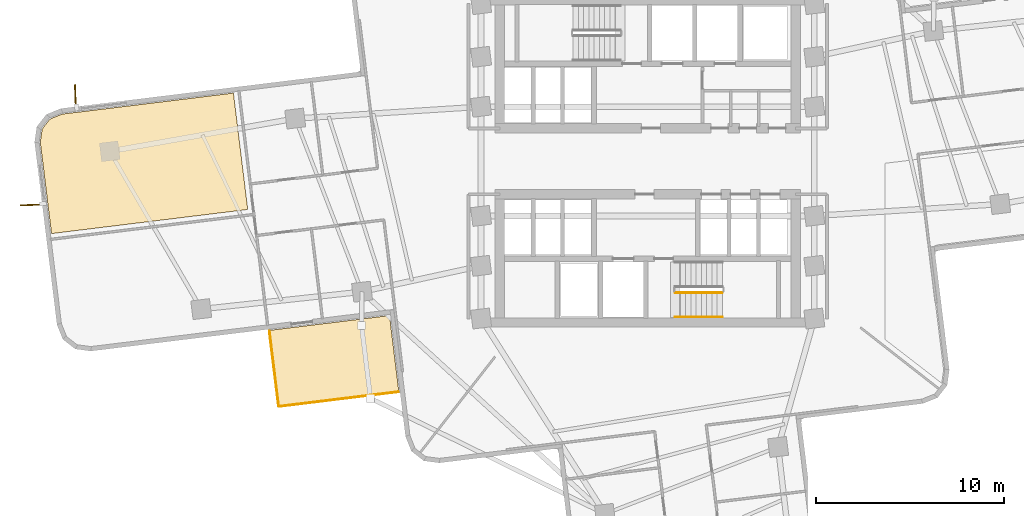
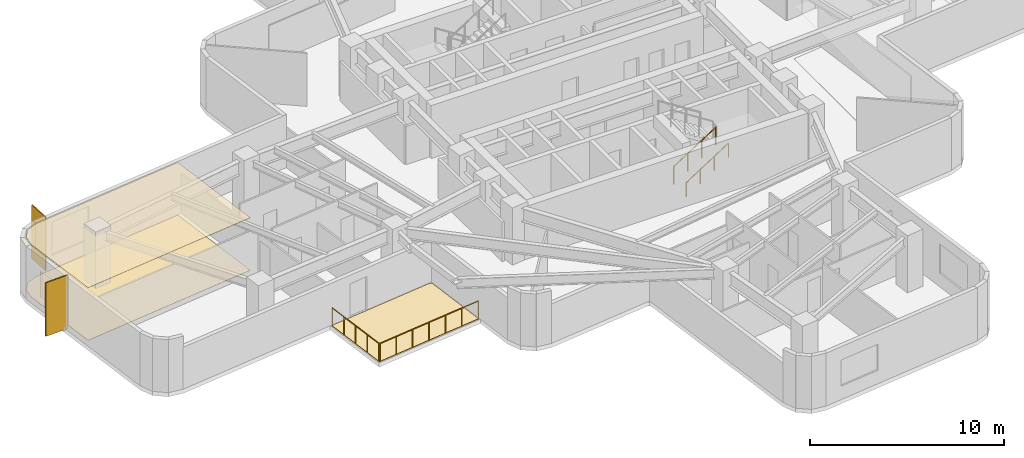
# One storey, part 7 of 9: 4 railings, 3 coverings, 2 shading devices.
"""IFC4 building model written with IfcOpenShell, lengths in metres."""

from ifc_helpers import new_model, si_unit, direction, frame, origin, origin_2d, place, context, subcontext, project, spatial, polyline, rectangle, circle, outline, extrude, material, layer, layer_set, type_object, element, save


model = new_model("IFC4")

# Units and contexts
model_context = context("Model", 3, precision=1e-05, world=origin(), true_north=direction((0.0, 1.0)))
body_context = subcontext(model_context, "Body", "Model", "MODEL_VIEW")
ifc_project = project(units=[si_unit("LENGTHUNIT", "METRE"), si_unit("AREAUNIT", "SQUARE_METRE"), si_unit("VOLUMEUNIT", "CUBIC_METRE"), si_unit("PLANEANGLEUNIT", "RADIAN"), si_unit("MASSUNIT", "GRAM", prefix="KILO")], contexts=[model_context])

# Site, building, storey
site_placement = place(None, origin())
site = spatial("IfcSite", under=ifc_project, at=site_placement, CompositionType="ELEMENT")
building_placement = place(site_placement, origin())
building = spatial("IfcBuilding", under=site, at=building_placement, Name="Solmarez Civic Tower", CompositionType="ELEMENT")
storey_placement = place(building_placement, frame((0.0, 0.0, 78.47998046875)))
storey = spatial("IfcBuildingStorey", under=building, at=storey_placement, Name="L20", CompositionType="ELEMENT", Elevation=78.47998046875)

# Coverings
ifc_material_1 = material(Name="Perforated Mineral-Fibre Acoustic Ceiling")
ifc_layer_1 = layer(ifc_material_1, 0.02490234375)
ifc_layer_set_1 = layer_set([ifc_layer_1], Name="Perforated Mineral-Fibre Acoustic Ceiling")
covering_type_1 = type_object("IfcCoveringType", Name="COV-CEIL-ACOUSTIC", PredefinedType="CEILING", material=ifc_layer_set_1)
covering_1_placement = place(storey_placement, frame((0.0, 0.0, 3.31494140625)))
element("IfcCovering", 1, at=covering_1_placement, inside=storey, type_object=covering_type_1, Name="L20 Suspended Acoustic Ceiling 2", PredefinedType="CEILING", context=body_context, shape_type="SweptSolid", body=[
    extrude(outline(polyline([(-22.006103515625, 3.625), (-31.097900390625, 2.509033203125), (-31.7548828125, 2.242919921875), (-32.1650390625, 1.717041015625), (-32.263916015625, 1.01611328125), (-31.66796875, -3.837890625), (-21.24609375, -2.55810546875), (-22.006103515625, 3.625)])), origin(), (0.0, 0.0, 1.0), 0.025146484375),
])
ifc_material_2 = material(Name="Polished Tropical Stone Terrazzo Flooring", Category="masonry")
ifc_layer_2 = layer(ifc_material_2, 0.02001953125)
ifc_layer_set_2 = layer_set([ifc_layer_2], Name="Polished Tropical Stone Terrazzo Flooring")
covering_type_2 = type_object("IfcCoveringType", Name="COV-FLOOR-TERRAZZO", PredefinedType="FLOORING", material=ifc_layer_set_2)
covering_2_placement = place(storey_placement, origin())
element("IfcCovering", 2, at=covering_2_placement, inside=storey, type_object=covering_type_2, Name="L20 Terrazzo Floor Finish 2", PredefinedType="FLOORING", context=body_context, shape_type="SweptSolid", body=[
    extrude(outline(polyline([(-22.006103515625, 3.625), (-31.097900390625, 2.509033203125), (-31.7548828125, 2.242919921875), (-32.1650390625, 1.717041015625), (-32.263916015625, 1.01611328125), (-31.66796875, -3.837890625), (-21.24609375, -2.55810546875), (-22.006103515625, 3.625)])), origin(), (0.0, 0.0, 1.0), 0.02001953125),
])
ifc_material_3 = material(Name="Elastomeric Terrace Waterproofing Membrane")
ifc_layer_3 = layer(ifc_material_3, 0.030029296875)
ifc_layer_set_3 = layer_set([ifc_layer_3], Name="Elastomeric Terrace Waterproofing Membrane")
covering_type_3 = type_object("IfcCoveringType", Name="COV-MEMBRANE-ROOF", PredefinedType="ROOFING", material=ifc_layer_set_3)
covering_3_placement = place(storey_placement, origin())
element("IfcCovering", 3, at=covering_3_placement, inside=storey, type_object=covering_type_3, Name="L20 Balcony Waterproofing SW", PredefinedType="ROOFING", context=body_context, shape_type="SweptSolid", body=[
    extrude(outline(polyline([(-13.697021484375, -8.35009765625), (-13.7451171875, -8.23193359375), (-13.8720703125, -8.214111328125), (-20.095947265625, -8.97802734375), (-19.59912109375, -13.02490234375), (-13.218994140625, -12.241943359375), (-13.697021484375, -8.35009765625)])), origin(), (0.0, 0.0, 1.0), 0.030029296875),
])

# Shading devices
ifc_material_4 = material(Name="Bronze Anodised Aluminium EN AW-6063 T6", Category="aluminium")
ifc_layer_4 = layer(ifc_material_4, 0.06494140625)
ifc_layer_set_4 = layer_set([ifc_layer_4], Name="Bronze Anodised Aluminium EN AW-6063 T6")
shading_device_type = type_object("IfcShadingDeviceType", Name="FIN-BRONZE-Z12", PredefinedType="USERDEFINED", material=ifc_layer_set_4)
for number, where, z_axis, x_axis, name in (
    (4, (-32.6669921875, -2.31494140625, -0.0400390625), (0.0, 0.0, 1.0), (-0.999310366955, -0.037132068293, 0.0), "L20 Anodised Bronze Solar Fin FIN-L20-01"),
    (5, (-30.40087890625, 3.406005859375, -0.0400390625), (0.0, 0.0, 1.0), (-0.037079744474, 0.999312309816, 0.0), "L20 Anodised Bronze Solar Fin FIN-L20-02"),
):
    element("IfcShadingDevice", number, at=place(storey_placement, frame(where, z_axis=z_axis, x_axis=x_axis)), inside=storey, type_object=shading_device_type, Name=name, ObjectType="FIN", PredefinedType="USERDEFINED", context=body_context, shape_type="SweptSolid", body=[
        extrude(rectangle(XDim=1.35009765625, YDim=0.06494140625, at=origin_2d()), origin(), (0.0, 0.0, 1.0), 3.3798828125),
    ])

# Railings
ifc_material_5 = material(Name="Painted Steel Stairwell Safety Guard", Category="steel")
railing_type_1 = type_object("IfcRailingType", Name="GUARD-STAIR-1120", PredefinedType="BALUSTRADE", material=ifc_material_5)
railing_1_placement = place(storey_placement, frame((1.449951171875, -6.969970703125, 0.179931640625)))
element("IfcRailing", 6, at=railing_1_placement, inside=storey, type_object=railing_type_1, Name="L20 ST-2 stair guard 1", PredefinedType="BALUSTRADE", context=body_context, shape_type="SweptSolid", body=[
    extrude(circle(Radius=0.02392578125, at=origin_2d()), frame((0.0, 0.0, 1.09619140625), z_axis=(0.841162588446, 0.0, 0.540782303519), x_axis=(0.0, 1.0, 0.0)), (0.0, 0.0, 1.0), 2.995849609375),
    extrude(circle(Radius=0.02099609375, at=origin_2d()), origin(), (0.0, 0.0, 1.0), 1.072021484375),
    extrude(circle(Radius=0.02099609375, at=origin_2d()), frame((0.840087890625, 0.0, 0.5400390625)), (0.0, 0.0, 1.0), 1.072021484375),
    extrude(circle(Radius=0.02099609375, at=origin_2d()), frame((1.679931640625, 0.0, 1.080078125)), (0.0, 0.0, 1.0), 1.072021484375),
    extrude(circle(Radius=0.02099609375, at=origin_2d()), frame((2.52001953125, 0.0, 1.6201171875)), (0.0, 0.0, 1.0), 1.072021484375),
])
ifc_material_6 = material(Name="Bronze Anodised Aluminium and Laminated Safety Glass Balustrade", Category="aluminium")
railing_type_2 = type_object("IfcRailingType", Name="GUARD-TERR-1180", PredefinedType="BALUSTRADE", material=ifc_material_6)
railing_2_placement = place(storey_placement, frame((-20.092041015625, -9.012939453125, 0.0)))
element("IfcRailing", 7, at=railing_2_placement, inside=storey, type_object=railing_type_2, Name="L20 Safety Balustrade GRD-BALC-L20-SW-1", PredefinedType="BALUSTRADE", context=body_context, shape_type="SweptSolid", body=[
    extrude(circle(Radius=0.02392578125, at=origin_2d()), frame((0.0, 0.0, 1.15576171875), z_axis=(0.122039778732, -0.99252520996, 0.0), x_axis=(0.99252520996, 0.122039778732, 0.0)), (0.0, 0.0, 1.0), 4.007080078125),
    extrude(circle(Radius=0.02099609375, at=origin_2d()), origin(), (0.0, 0.0, 1.0), 1.1318359375),
    extrude(circle(Radius=0.02099609375, at=origin_2d()), frame((0.122314453125, -0.994140625, 0.0)), (0.0, 0.0, 1.0), 1.1318359375),
    extrude(circle(Radius=0.02099609375, at=origin_2d()), frame((0.24462890625, -1.988525390625, 0.0)), (0.0, 0.0, 1.0), 1.1318359375),
    extrude(circle(Radius=0.02099609375, at=origin_2d()), frame((0.36669921875, -2.98291015625, 0.0)), (0.0, 0.0, 1.0), 1.1318359375),
    extrude(circle(Radius=0.02099609375, at=origin_2d()), frame((0.489013671875, -3.97705078125, 0.0)), (0.0, 0.0, 1.0), 1.1318359375),
])
railing_3_placement = place(storey_placement, frame((-19.56396484375, -13.02099609375, 0.0)))
element("IfcRailing", 8, at=railing_3_placement, inside=storey, type_object=railing_type_2, Name="L20 Safety Balustrade GRD-BALC-L20-SW-2", PredefinedType="BALUSTRADE", context=body_context, shape_type="SweptSolid", body=[
    extrude(circle(Radius=0.02392578125, at=origin_2d()), frame((0.0, 0.0, 1.15576171875), z_axis=(0.992543781308, 0.121888646671, 0.0), x_axis=(-0.121888646671, 0.992543781308, 0.0)), (0.0, 0.0, 1.0), 6.357421875),
    extrude(circle(Radius=0.02099609375, at=origin_2d()), origin(), (0.0, 0.0, 1.0), 1.1318359375),
    extrude(circle(Radius=0.02099609375, at=origin_2d()), frame((1.0517578125, 0.129150390625, 0.0)), (0.0, 0.0, 1.0), 1.1318359375),
    extrude(circle(Radius=0.02099609375, at=origin_2d()), frame((2.103271484375, 0.25830078125, 0.0)), (0.0, 0.0, 1.0), 1.1318359375),
    extrude(circle(Radius=0.02099609375, at=origin_2d()), frame((3.155029296875, 0.387451171875, 0.0)), (0.0, 0.0, 1.0), 1.1318359375),
    extrude(circle(Radius=0.02099609375, at=origin_2d()), frame((4.206787109375, 0.5166015625, 0.0)), (0.0, 0.0, 1.0), 1.1318359375),
    extrude(circle(Radius=0.02099609375, at=origin_2d()), frame((5.25830078125, 0.645751953125, 0.0)), (0.0, 0.0, 1.0), 1.1318359375),
    extrude(circle(Radius=0.02099609375, at=origin_2d()), frame((6.31005859375, 0.77490234375, 0.0)), (0.0, 0.0, 1.0), 1.1318359375),
])
ifc_material_7 = material(Name="Brushed Stainless Steel Tube Handrail", Category="steel")
railing_type_3 = type_object("IfcRailingType", Name="HANDRAIL-STAIR-900", PredefinedType="HANDRAIL", material=ifc_material_7)
railing_4_placement = place(storey_placement, frame((1.449951171875, -8.27001953125, 0.179931640625)))
element("IfcRailing", 9, at=railing_4_placement, inside=storey, type_object=railing_type_3, Name="L20 ST-2 stair handrail 1", PredefinedType="HANDRAIL", context=body_context, shape_type="SweptSolid", body=[
    extrude(circle(Radius=0.02392578125, at=origin_2d()), frame((0.0, 0.0, 0.8759765625), z_axis=(0.841162588446, 0.0, 0.540782303519), x_axis=(0.0, 1.0, 0.0)), (0.0, 0.0, 1.0), 2.995849609375),
    extrude(circle(Radius=0.02099609375, at=origin_2d()), origin(), (0.0, 0.0, 1.0), 0.851806640625),
    extrude(circle(Radius=0.02099609375, at=origin_2d()), frame((0.840087890625, 0.0, 0.5400390625)), (0.0, 0.0, 1.0), 0.851806640625),
    extrude(circle(Radius=0.02099609375, at=origin_2d()), frame((1.679931640625, 0.0, 1.080078125)), (0.0, 0.0, 1.0), 0.851806640625),
    extrude(circle(Radius=0.02099609375, at=origin_2d()), frame((2.52001953125, 0.0, 1.6201171875)), (0.0, 0.0, 1.0), 0.851806640625),
])

save(model, "model.ifc")
